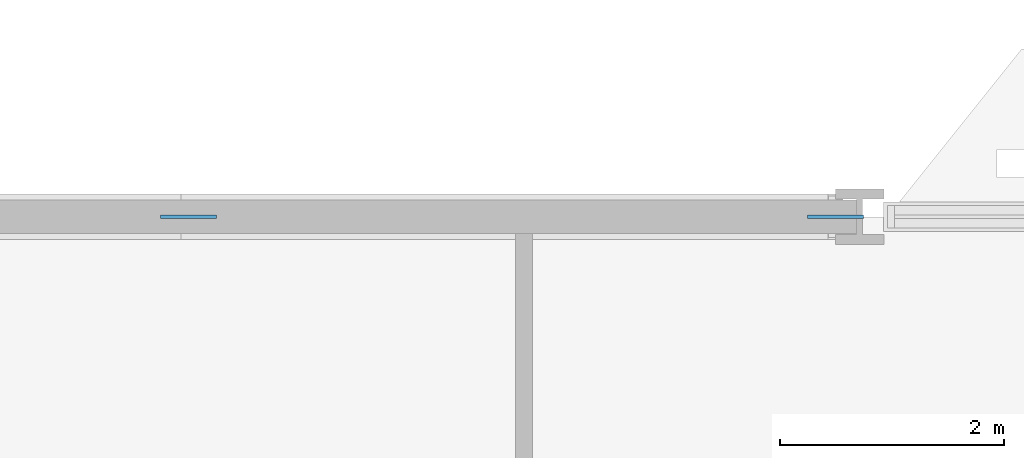
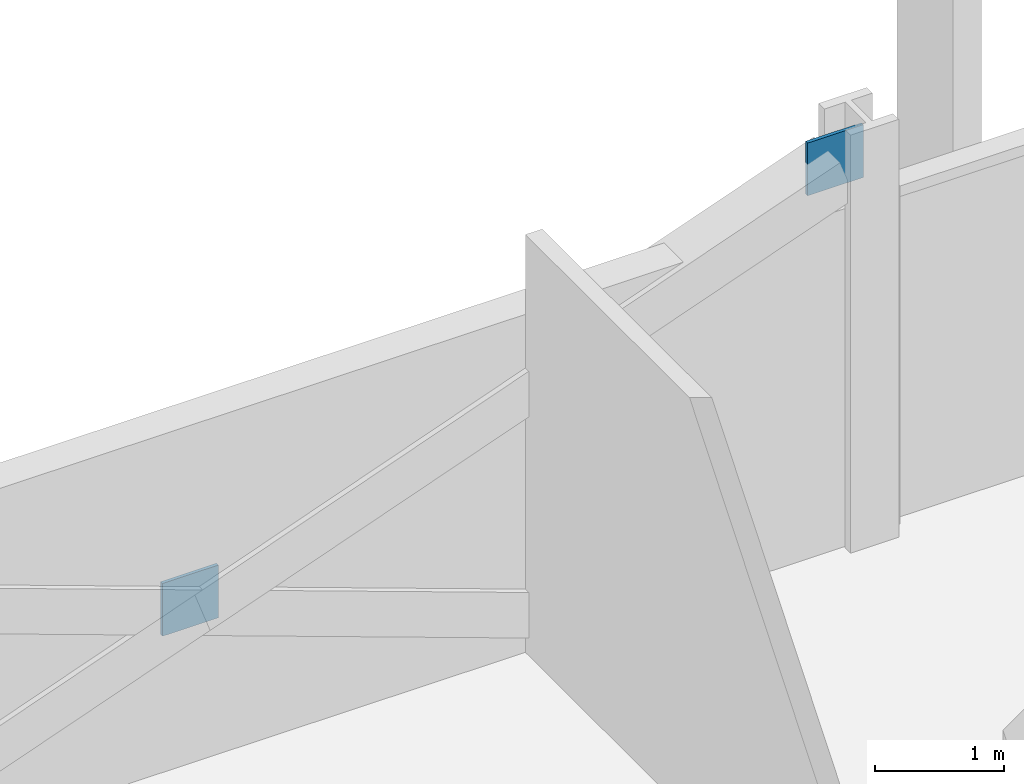
# One storey, part 20 of 29: 2 discrete accessories.
"""IFC4 building model written with IfcOpenShell, lengths in metres."""

from ifc_helpers import new_model, si_unit, direction, frame, origin, origin_2d, place, context, subcontext, project, spatial, rectangle, extrude, material, layer, layer_set, type_object, element, save


model = new_model("IFC4")

# Units and contexts
model_context = context("Model", 3, precision=1e-05, world=origin(), true_north=direction((0.0, 1.0)))
body_context = subcontext(model_context, "Body", "Model", "MODEL_VIEW")
ifc_project = project(units=[si_unit("LENGTHUNIT", "METRE"), si_unit("AREAUNIT", "SQUARE_METRE"), si_unit("VOLUMEUNIT", "CUBIC_METRE"), si_unit("PLANEANGLEUNIT", "RADIAN"), si_unit("MASSUNIT", "GRAM", prefix="KILO")], contexts=[model_context])

# Site, building, storey
site_placement = place(None, origin())
site = spatial("IfcSite", under=ifc_project, at=site_placement, CompositionType="ELEMENT")
building_placement = place(site_placement, origin())
building = spatial("IfcBuilding", under=site, at=building_placement, Name="Mahtab Terrace Research Tower", CompositionType="ELEMENT")
storey_placement = place(building_placement, frame((0.0, 0.0, 24.39990234375)))
storey = spatial("IfcBuildingStorey", under=building, at=storey_placement, Name="L05", CompositionType="ELEMENT", Elevation=24.39990234375)

# Discrete accessories
ifc_material = material(Name="Steel ASTM A992 Gr 50", Category="steel")
ifc_layer = layer(ifc_material, 0.030029296875)
ifc_layer_set = layer_set([ifc_layer], Name="Gusset plate 500x500x30")
discrete_accessory_type = type_object("IfcDiscreteAccessoryType", Name="Gusset plate 500x500x30", PredefinedType="USERDEFINED", material=ifc_layer_set)
for number, where, z_axis, x_axis, name in (
    (1, (0.0, 23.0, 1.181640625), (0.0, 0.0, 1.0), (1.0, 0.0, 0.0), "Gusset plate"),
    (2, (5.7841796875, 23.0, 3.33154296875), (0.0, 0.0, 1.0), (1.0, 0.0, 0.0), "Gusset plate"),
):
    element("IfcDiscreteAccessory", number, at=place(storey_placement, frame(where, z_axis=z_axis, x_axis=x_axis)), inside=storey, type_object=discrete_accessory_type, Name=name, ObjectType="GUSSET PLATE", PredefinedType="USERDEFINED", context=body_context, shape_type="SweptSolid", body=[
        extrude(rectangle(XDim=0.5, YDim=0.030029296875, at=origin_2d()), origin(), (0.0, 0.0, 1.0), 0.5),
    ])

save(model, "model.ifc")
